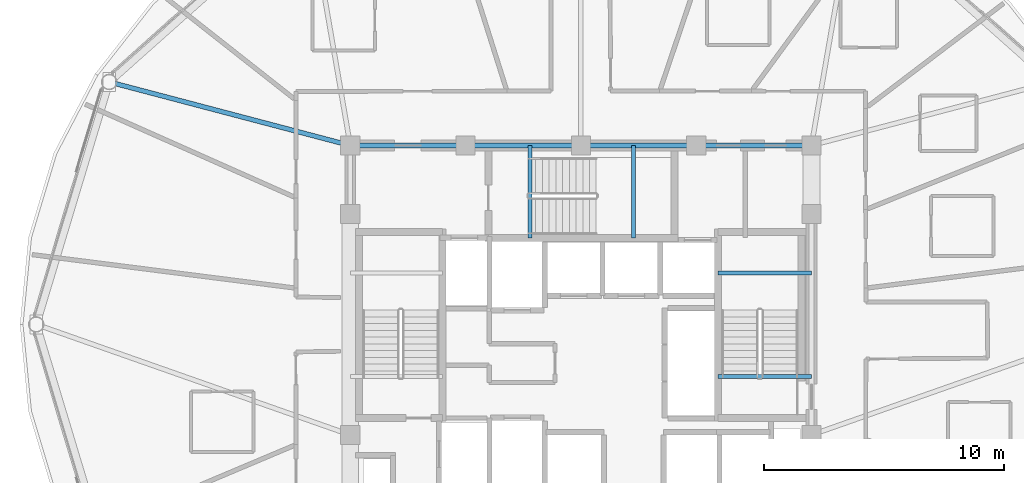
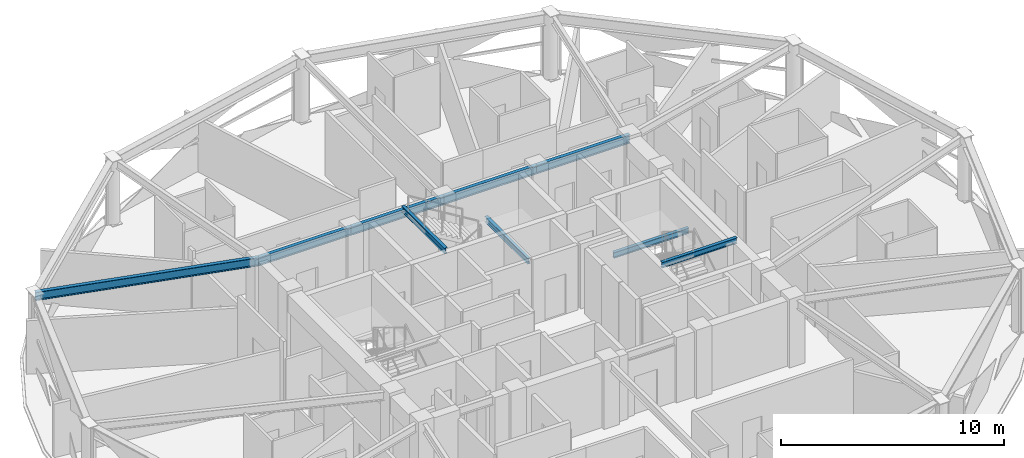
# One storey, part 10 of 30: 9 beams.
"""IFC4 building model written with IfcOpenShell, lengths in metres."""

from ifc_helpers import new_model, si_unit, direction, frame, origin, origin_2d, place, context, subcontext, project, spatial, i_section, extrude, material, material_profile, profile_set, type_object, element, save


model = new_model("IFC4")

# Units and contexts
model_context = context("Model", 3, precision=1e-05, world=origin(), true_north=direction((0.0, 1.0)))
body_context = subcontext(model_context, "Body", "Model", "MODEL_VIEW")
ifc_project = project(units=[si_unit("LENGTHUNIT", "METRE"), si_unit("AREAUNIT", "SQUARE_METRE"), si_unit("VOLUMEUNIT", "CUBIC_METRE"), si_unit("PLANEANGLEUNIT", "RADIAN"), si_unit("MASSUNIT", "GRAM", prefix="KILO")], contexts=[model_context])

# Site, building, storey
site_placement = place(None, origin())
site = spatial("IfcSite", under=ifc_project, at=site_placement, CompositionType="ELEMENT")
building_placement = place(site_placement, origin())
building = spatial("IfcBuilding", under=site, at=building_placement, Name="Vantalir Tower", CompositionType="ELEMENT")
storey_placement = place(building_placement, frame((0.0, 0.0, 186.14990234375)))
storey = spatial("IfcBuildingStorey", under=building, at=storey_placement, Name="L46", CompositionType="ELEMENT", Elevation=186.14990234375)

# Beams
ifc_material = material(Name="Steel S355", Category="steel")
ifc_material_profile_1 = material_profile(ifc_material, i_section(OverallWidth=0.166015625, OverallDepth=0.306884765625, WebThickness=0.006591796875, FlangeThickness=0.01171875, at=origin_2d()), Name="Steel S355")
ifc_profile_set_1 = profile_set([ifc_material_profile_1], Name="Steel S355")
beam_type_1 = type_object("IfcBeamType", Name="BM-JS-305x165", PredefinedType="JOIST", material=ifc_profile_set_1)
for number, where, z_axis, x_axis, name in (
    (1, (37.2099609375, 22.8349609375, 3.59619140625), (1.0, 0.0, 0.0), (0.0, 1.0, 0.0), "L47 Stair ST2 Well Nosing Trimmer Beam"),
    (2, (37.2099609375, 27.14501953125, 1.52099609375), (1.0, 0.0, 0.0), (0.0, 1.0, 0.0), "L46 Stair ST2 Half-Landing Support Beam"),
):
    element("IfcBeam", number, at=place(storey_placement, frame(where, z_axis=z_axis, x_axis=x_axis)), inside=storey, type_object=beam_type_1, Name=name, PredefinedType="JOIST", context=body_context, shape_type="SweptSolid", body=[
        extrude(i_section(OverallWidth=0.166015625, OverallDepth=0.306884765625, WebThickness=0.006591796875, FlangeThickness=0.01171875, at=origin_2d()), origin(), (0.0, 0.0, 1.0), 3.89013671875),
    ])
for number, where, z_axis, x_axis, name in (
    (3, (29.385009765625, 28.60009765625, 3.59619140625), (0.0, 1.0, 0.0), (-1.0, 0.0, 0.0), "L47 Stair ST3 Well Nosing Trimmer Beam"),
    (4, (33.695068359375, 28.60009765625, 1.52099609375), (0.0, 1.0, 0.0), (-1.0, 0.0, 0.0), "L46 Stair ST3 Half-Landing Support Beam"),
):
    element("IfcBeam", number, at=place(storey_placement, frame(where, z_axis=z_axis, x_axis=x_axis)), inside=storey, type_object=beam_type_1, Name=name, PredefinedType="JOIST", context=body_context, shape_type="SweptSolid", body=[
        extrude(i_section(OverallWidth=0.166015625, OverallDepth=0.306884765625, WebThickness=0.006591796875, FlangeThickness=0.01171875, at=origin_2d()), origin(), (0.0, 0.0, 1.0), 3.849853515625),
    ])
ifc_material_profile_2 = material_profile(ifc_material, i_section(OverallWidth=0.19189453125, OverallDepth=0.462890625, WebThickness=0.010498046875, FlangeThickness=0.017578125, at=origin_2d()), Name="Steel S355")
ifc_profile_set_2 = profile_set([ifc_material_profile_2], Name="Steel S355")
beam_type_2 = type_object("IfcBeamType", Name="BM-RB-457x191", PredefinedType="BEAM", material=ifc_profile_set_2)
for number, where, z_axis, x_axis, name in (
    (5, (41.10009765625, 32.449951171875, 3.338134765625), (-1.0, 0.0, 0.0), (0.0, -1.0, 0.0), "L46 Core Coupling Girder 08"),
    (6, (36.300048828125, 32.449951171875, 3.338134765625), (-1.0, 0.0, 0.0), (0.0, -1.0, 0.0), "L46 Core Coupling Girder 09"),
    (7, (31.5, 32.449951171875, 3.338134765625), (-1.0, 0.0, 0.0), (0.0, -1.0, 0.0), "L46 Core Coupling Girder 10"),
    (8, (26.699951171875, 32.449951171875, 3.338134765625), (-1.0, 0.0, 0.0), (0.0, -1.0, 0.0), "L46 Core Coupling Girder 11"),
):
    element("IfcBeam", number, at=place(storey_placement, frame(where, z_axis=z_axis, x_axis=x_axis)), inside=storey, type_object=beam_type_2, Name=name, PredefinedType="BEAM", context=body_context, shape_type="SweptSolid", body=[
        extrude(i_section(OverallWidth=0.19189453125, OverallDepth=0.462890625, WebThickness=0.010498046875, FlangeThickness=0.017578125, at=origin_2d()), origin(), (0.0, 0.0, 1.0), 4.800048828125),
    ])
beam_placement = place(storey_placement, frame((11.862060546875, 35.093994140625, 3.338134765625), z_axis=(0.967015102182, -0.254719045522, 0.0), x_axis=(0.254719045522, 0.967015102182, 0.0)))
element("IfcBeam", 9, at=beam_placement, inside=storey, type_object=beam_type_2, Name="L46 Radial Floor Beam 06", PredefinedType="BEAM", context=body_context, shape_type="SweptSolid", body=[
    extrude(i_section(OverallWidth=0.19189453125, OverallDepth=0.462890625, WebThickness=0.010498046875, FlangeThickness=0.017578125, at=origin_2d()), origin(), (0.0, 0.0, 1.0), 10.380126953125),
])

save(model, "model.ifc")
